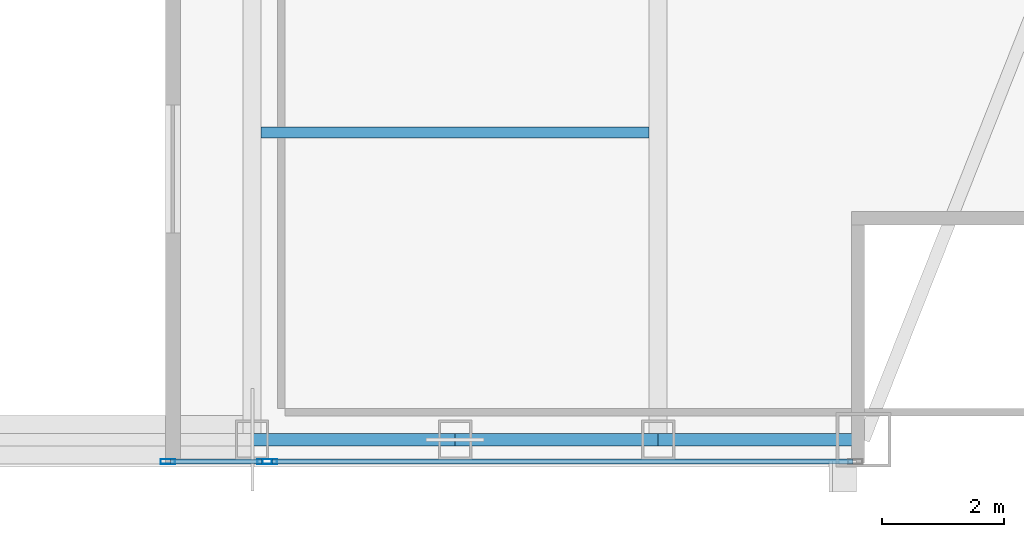
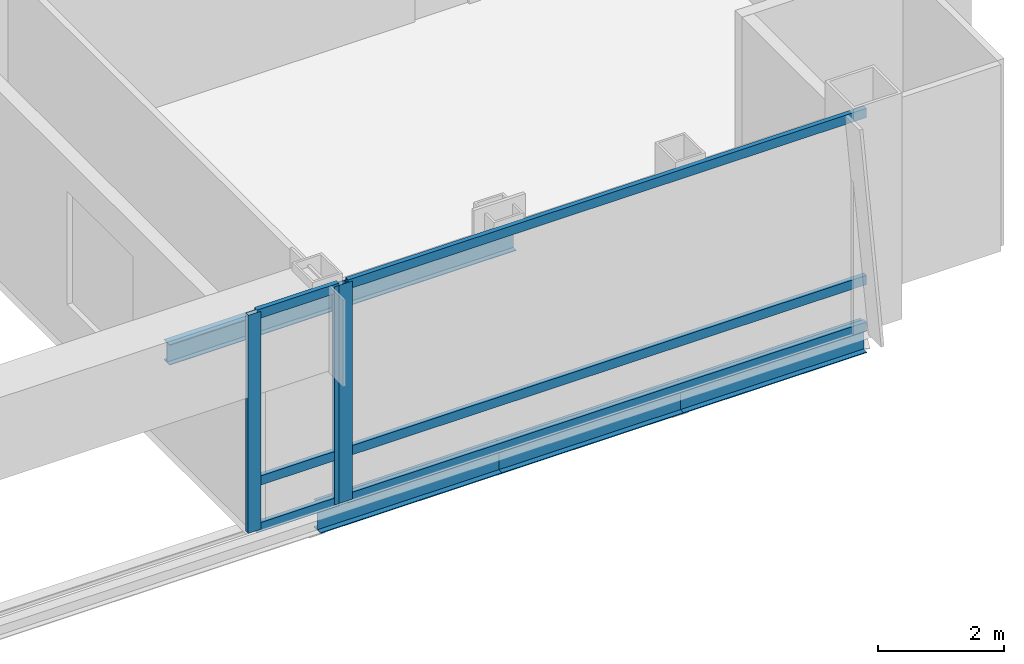
# One storey, part 12 of 27: 9 members, 4 beams, 2 elements without a shape of their own.
"""IFC4 building model written with IfcOpenShell, lengths in metres."""

from ifc_helpers import new_model, si_unit, direction, frame, origin, origin_2d, place, context, subcontext, project, spatial, hollow_rectangle, i_section, extrude, material, material_profile, profile_set, type_object, element, aggregate, save


model = new_model("IFC4")

# Units and contexts
model_context = context("Model", 3, precision=1e-05, world=origin(), true_north=direction((0.0, 1.0)))
body_context = subcontext(model_context, "Body", "Model", "MODEL_VIEW")
ifc_project = project(units=[si_unit("LENGTHUNIT", "METRE"), si_unit("AREAUNIT", "SQUARE_METRE"), si_unit("VOLUMEUNIT", "CUBIC_METRE"), si_unit("PLANEANGLEUNIT", "RADIAN"), si_unit("MASSUNIT", "GRAM", prefix="KILO")], contexts=[model_context])

# Site, building, storey
site_placement = place(None, origin())
site = spatial("IfcSite", under=ifc_project, at=site_placement, CompositionType="ELEMENT")
building_placement = place(site_placement, origin())
building = spatial("IfcBuilding", under=site, at=building_placement, Name="Khoronbel Lancet Exchange", CompositionType="ELEMENT")
storey_placement = place(building_placement, frame((0.0, 0.0, 310.199951171875)))
storey = spatial("IfcBuildingStorey", under=building, at=storey_placement, Name="L80", CompositionType="ELEMENT", Elevation=310.199951171875)

# Beams
ifc_material_1 = material(Name="Steel S355", Category="steel")
ifc_material_profile_1 = material_profile(ifc_material_1, i_section(OverallWidth=0.179931640625, OverallDepth=0.39990234375, WebThickness=0.008544921875, FlangeThickness=0.013427734375, at=origin_2d()), Name="IPE 400")
ifc_profile_set_1 = profile_set([ifc_material_profile_1], Name="Steel S355")
beam_type_1 = type_object("IfcBeamType", Name="BM-BJ5", PredefinedType="JOIST", material=ifc_profile_set_1)
beam_1_placement = place(storey_placement, frame((48.14990234375, 15.199951171875, -0.35986328125), z_axis=(1.0, 0.0, 0.0), x_axis=(0.0, 1.0, 0.0)))
element("IfcBeam", 1, at=beam_1_placement, inside=storey, type_object=beam_type_1, Name="Level L80 secondary composite joist J02", PredefinedType="JOIST", context=body_context, shape_type="SweptSolid", body=[
    extrude(i_section(OverallWidth=0.179931640625, OverallDepth=0.39990234375, WebThickness=0.008544921875, FlangeThickness=0.013427734375, at=origin_2d()), origin(), (0.0, 0.0, 1.0), 6.375),
])
ifc_material_profile_2 = material_profile(ifc_material_1, i_section(OverallWidth=0.2099609375, OverallDepth=0.550048828125, WebThickness=0.010986328125, FlangeThickness=0.01708984375, at=origin_2d()), Name="IPE 550")
ifc_profile_set_2 = profile_set([ifc_material_profile_2], Name="Steel S355")
beam_type_2 = type_object("IfcBeamType", Name="BM-BSP3", PredefinedType="SPANDREL", material=ifc_profile_set_2)
beam_2_placement = place(storey_placement, frame((48.0, 10.14990234375, -0.43505859375), z_axis=(1.0, 0.0, 0.0), x_axis=(0.0, 1.0, 0.0)))
element("IfcBeam", 2, at=beam_2_placement, inside=storey, type_object=beam_type_2, Name="Level L80 perimeter spandrel beam SP05", PredefinedType="SPANDREL", context=body_context, shape_type="SweptSolid", body=[
    extrude(i_section(OverallWidth=0.2099609375, OverallDepth=0.550048828125, WebThickness=0.010986328125, FlangeThickness=0.01708984375, at=origin_2d()), origin(), (0.0, 0.0, 1.0), 3.33740234375),
])
beam_3_placement = place(storey_placement, frame((51.33740234375, 10.14990234375, -0.43505859375), z_axis=(1.0, 0.0, 0.0), x_axis=(0.0, 1.0, 0.0)))
element("IfcBeam", 3, at=beam_3_placement, inside=storey, type_object=beam_type_2, Name="Level L80 perimeter spandrel beam SP06", PredefinedType="SPANDREL", context=body_context, shape_type="SweptSolid", body=[
    extrude(i_section(OverallWidth=0.2099609375, OverallDepth=0.550048828125, WebThickness=0.010986328125, FlangeThickness=0.01708984375, at=origin_2d()), origin(), (0.0, 0.0, 1.0), 3.337646484375),
])
beam_4_placement = place(storey_placement, frame((54.675048828125, 10.14990234375, -0.43505859375), z_axis=(1.0, 0.0, 0.0), x_axis=(0.0, 1.0, 0.0)))
element("IfcBeam", 4, at=beam_4_placement, inside=storey, type_object=beam_type_2, Name="Level L80 perimeter spandrel beam SP07", PredefinedType="SPANDREL", context=body_context, shape_type="SweptSolid", body=[
    extrude(i_section(OverallWidth=0.2099609375, OverallDepth=0.550048828125, WebThickness=0.010986328125, FlangeThickness=0.01708984375, at=origin_2d()), origin(), (0.0, 0.0, 1.0), 3.375),
])

# Curtain wall, members
ifc_material_2 = material(Name="Low-E Solar Control Insulating Glass", Category="glass")
curtain_wall_type = type_object("IfcCurtainWallType", Name="CW-3", PredefinedType="NOTDEFINED", material=ifc_material_2)
curtain_wall_1_placement = place(storey_placement, origin())
curtain_wall_1 = element("IfcCurtainWall", 5, at=curtain_wall_1_placement, inside=storey, type_object=curtain_wall_type, Name="Unitised curtain wall CW-L80-SE-PIER", PredefinedType="NOTDEFINED")
ifc_material_3 = material(Name="Bronze-Anodised Aluminium 6063-T6", Category="aluminium")
ifc_material_profile_3 = material_profile(ifc_material_3, hollow_rectangle(XDim=0.0849609375, YDim=0.239990234375, WallThickness=0.006103515625, at=origin_2d()), Name="ALU MULLION 85x240")
ifc_profile_set_3 = profile_set([ifc_material_profile_3], Name="Bronze-Anodised Aluminium 6063-T6")
member_type_1 = type_object("IfcMemberType", Name="MEM-CWM1", PredefinedType="MULLION", material=ifc_profile_set_3)
member_1_placement = place(storey_placement, frame((46.617431640625, 9.7900390625, 0.0), z_axis=(0.0, 0.0, 1.0), x_axis=(0.0, 1.0, 0.0)))
member_1 = element("IfcMember", 6, at=member_1_placement, type_object=member_type_1, Name="CW3 mullion 1", PredefinedType="MULLION", context=body_context, shape_type="SweptSolid", body=[
    extrude(hollow_rectangle(XDim=0.0849609375, YDim=0.239990234375, WallThickness=0.006103515625, at=origin_2d()), origin(), (0.0, 0.0, 1.0), 4.239990234375),
])
member_2_placement = place(storey_placement, frame((48.20751953125, 9.7900390625, 0.0), z_axis=(0.0, 0.0, 1.0), x_axis=(0.0, 1.0, 0.0)))
member_2 = element("IfcMember", 7, at=member_2_placement, type_object=member_type_1, Name="CW3 mullion 2", PredefinedType="MULLION", context=body_context, shape_type="SweptSolid", body=[
    extrude(hollow_rectangle(XDim=0.0849609375, YDim=0.239990234375, WallThickness=0.006103515625, at=origin_2d()), origin(), (0.0, 0.0, 1.0), 4.239990234375),
])

# Curtain wall, member
curtain_wall_2_placement = place(storey_placement, origin())
curtain_wall_2 = element("IfcCurtainWall", 8, at=curtain_wall_2_placement, inside=storey, type_object=curtain_wall_type, Name="Unitised curtain wall CW-L80-SE-WING", PredefinedType="NOTDEFINED")
member_3_placement = place(storey_placement, frame((48.29248046875, 9.7900390625, 0.0), z_axis=(0.0, 0.0, 1.0), x_axis=(0.0, 1.0, 0.0)))
member_3 = element("IfcMember", 9, at=member_3_placement, type_object=member_type_1, Name="CW3 mullion 1", PredefinedType="MULLION", context=body_context, shape_type="SweptSolid", body=[
    extrude(hollow_rectangle(XDim=0.0849609375, YDim=0.239990234375, WallThickness=0.006103515625, at=origin_2d()), origin(), (0.0, 0.0, 1.0), 4.239990234375),
])

# Member
ifc_material_profile_4 = material_profile(ifc_material_3, hollow_rectangle(XDim=0.0849609375, YDim=0.179931640625, WallThickness=0.0048828125, at=origin_2d()), Name="ALU TRANSOM 85x180")
ifc_profile_set_4 = profile_set([ifc_material_profile_4], Name="Bronze-Anodised Aluminium 6063-T6")
member_type_2 = type_object("IfcMemberType", Name="MEM-CWT1", PredefinedType="USERDEFINED", material=ifc_profile_set_4)
member_4_placement = place(storey_placement, frame((46.659912109375, 9.7900390625, 0.04248046875), z_axis=(1.0, 0.0, 0.0), x_axis=(0.0, 1.0, 0.0)))
member_4 = element("IfcMember", 10, at=member_4_placement, type_object=member_type_2, Name="CW3 transom 1.1", ObjectType="TRANSOM", PredefinedType="USERDEFINED", context=body_context, shape_type="SweptSolid", body=[
    extrude(hollow_rectangle(XDim=0.0849609375, YDim=0.179931640625, WallThickness=0.0048828125, at=origin_2d()), origin(), (0.0, 0.0, 1.0), 1.505126953125),
])

member_5_placement = place(storey_placement, frame((46.659912109375, 9.7900390625, 0.949951171875), z_axis=(1.0, 0.0, 0.0), x_axis=(0.0, 1.0, 0.0)))
member_5 = element("IfcMember", 11, at=member_5_placement, type_object=member_type_2, Name="CW3 transom 1.2", ObjectType="TRANSOM", PredefinedType="USERDEFINED", context=body_context, shape_type="SweptSolid", body=[
    extrude(hollow_rectangle(XDim=0.0849609375, YDim=0.179931640625, WallThickness=0.0048828125, at=origin_2d()), origin(), (0.0, 0.0, 1.0), 1.505126953125),
])

member_6_placement = place(storey_placement, frame((46.659912109375, 9.7900390625, 4.197509765625), z_axis=(1.0, 0.0, 0.0), x_axis=(0.0, 1.0, 0.0)))
member_6 = element("IfcMember", 12, at=member_6_placement, type_object=member_type_2, Name="CW3 transom 1.3", ObjectType="TRANSOM", PredefinedType="USERDEFINED", context=body_context, shape_type="SweptSolid", body=[
    extrude(hollow_rectangle(XDim=0.0849609375, YDim=0.179931640625, WallThickness=0.0048828125, at=origin_2d()), origin(), (0.0, 0.0, 1.0), 1.505126953125),
])

aggregate(curtain_wall_1, [member_1, member_2, member_4, member_5, member_6])

member_7_placement = place(storey_placement, frame((48.3349609375, 9.7900390625, 0.04248046875), z_axis=(1.0, 0.0, 0.0), x_axis=(0.0, 1.0, 0.0)))
member_7 = element("IfcMember", 13, at=member_7_placement, type_object=member_type_2, Name="CW3 transom 1.1", ObjectType="TRANSOM", PredefinedType="USERDEFINED", context=body_context, shape_type="SweptSolid", body=[
    extrude(hollow_rectangle(XDim=0.0849609375, YDim=0.179931640625, WallThickness=0.0048828125, at=origin_2d()), origin(), (0.0, 0.0, 1.0), 9.5400390625),
])

member_8_placement = place(storey_placement, frame((48.3349609375, 9.7900390625, 0.949951171875), z_axis=(1.0, 0.0, 0.0), x_axis=(0.0, 1.0, 0.0)))
member_8 = element("IfcMember", 14, at=member_8_placement, type_object=member_type_2, Name="CW3 transom 1.2", ObjectType="TRANSOM", PredefinedType="USERDEFINED", context=body_context, shape_type="SweptSolid", body=[
    extrude(hollow_rectangle(XDim=0.0849609375, YDim=0.179931640625, WallThickness=0.0048828125, at=origin_2d()), origin(), (0.0, 0.0, 1.0), 9.5400390625),
])

member_9_placement = place(storey_placement, frame((48.3349609375, 9.7900390625, 4.197509765625), z_axis=(1.0, 0.0, 0.0), x_axis=(0.0, 1.0, 0.0)))
member_9 = element("IfcMember", 15, at=member_9_placement, type_object=member_type_2, Name="CW3 transom 1.3", ObjectType="TRANSOM", PredefinedType="USERDEFINED", context=body_context, shape_type="SweptSolid", body=[
    extrude(hollow_rectangle(XDim=0.0849609375, YDim=0.179931640625, WallThickness=0.0048828125, at=origin_2d()), origin(), (0.0, 0.0, 1.0), 9.5400390625),
])

aggregate(curtain_wall_2, [member_3, member_7, member_8, member_9])

save(model, "model.ifc")
